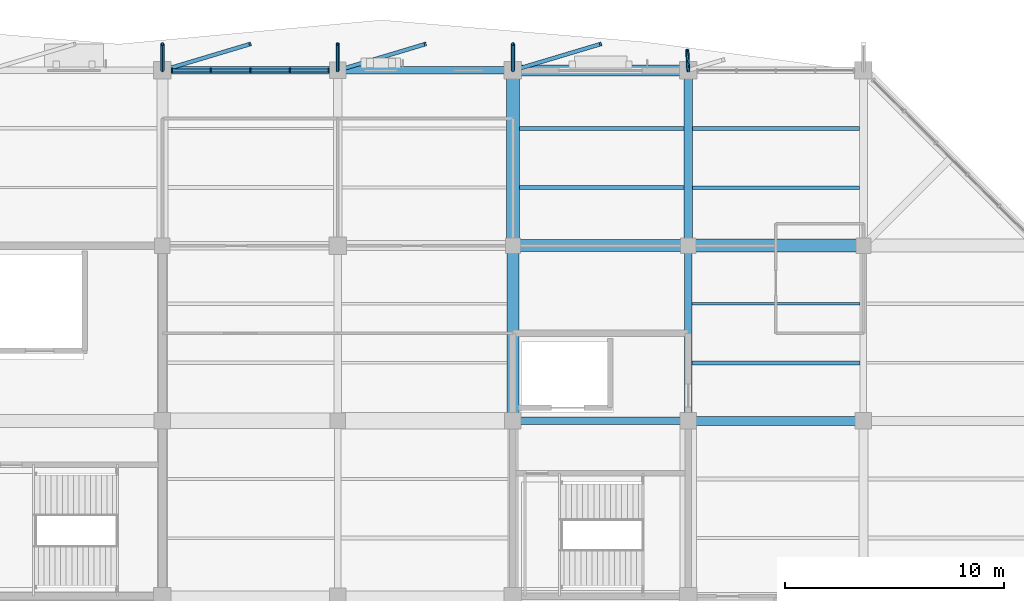
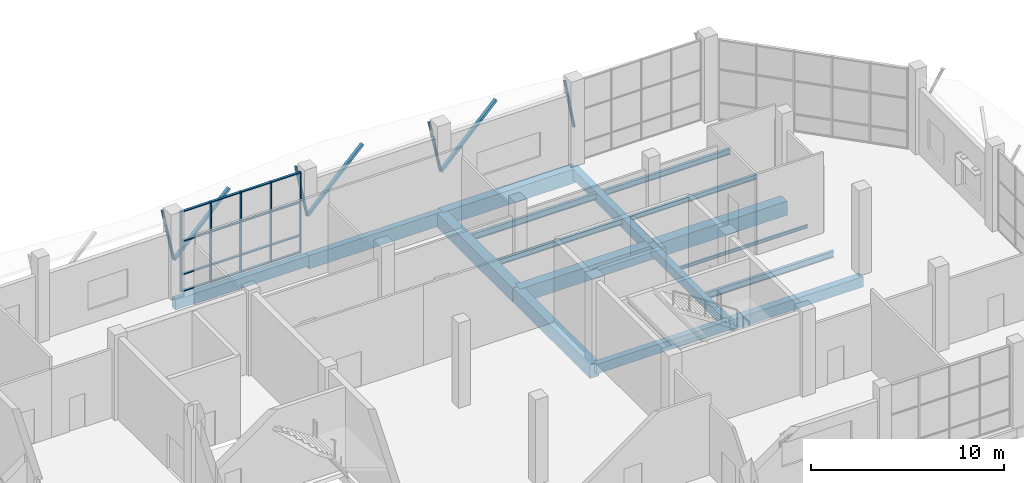
# One storey, part 38 of 122: 28 members, 17 beams, 1 element without a shape of its own.
"""IFC4 building model written with IfcOpenShell, lengths in metres."""

from ifc_helpers import new_model, si_unit, direction, frame, origin, origin_2d, place, context, subcontext, project, spatial, rectangle, hollow_rectangle, hollow_circle, i_section, extrude, material, material_profile, profile_set, type_object, element, aggregate, save


model = new_model("IFC4")

# Units and contexts
model_context = context("Model", 3, precision=1e-05, world=origin(), true_north=direction((0.0, 1.0)))
body_context = subcontext(model_context, "Body", "Model", "MODEL_VIEW")
ifc_project = project(units=[si_unit("LENGTHUNIT", "METRE"), si_unit("AREAUNIT", "SQUARE_METRE"), si_unit("VOLUMEUNIT", "CUBIC_METRE"), si_unit("PLANEANGLEUNIT", "RADIAN"), si_unit("MASSUNIT", "GRAM", prefix="KILO")], contexts=[model_context])

# Site, building, storey
site_placement = place(None, origin())
site = spatial("IfcSite", under=ifc_project, at=site_placement, CompositionType="ELEMENT")
building_placement = place(site_placement, origin())
building = spatial("IfcBuilding", under=site, at=building_placement, Name="Tenunan Teduh Sports Hall", CompositionType="ELEMENT")
storey_placement = place(building_placement, frame((0.0, 0.0, 5.39990234375)))
storey = spatial("IfcBuildingStorey", under=building, at=storey_placement, Name="L01", CompositionType="ELEMENT", Elevation=5.39990234375)

# Beams
ifc_material_1 = material(Name="Concrete C40/50", Category="concrete")
ifc_material_profile_1 = material_profile(ifc_material_1, rectangle(XDim=0.35009765625, YDim=0.60009765625, at=origin_2d()), Name="RCB 350x600")
ifc_profile_set_1 = profile_set([ifc_material_profile_1], Name="Concrete C40/50")
beam_type_1 = type_object("IfcBeamType", Name="BM-RC-350x600", PredefinedType="BEAM", material=ifc_profile_set_1)
for number, where, z_axis, x_axis, name in (
    (1, (54.0, 102.0, -0.559814453125), (1.0, 0.0, 0.0), (0.0, 1.0, 0.0), "BM-B-04-L01-1144"),
    (2, (62.0, 102.0, -0.559814453125), (0.0, 1.0, 0.0), (-1.0, 0.0, 0.0), "BM-B-04-L01-1229"),
):
    element("IfcBeam", number, at=place(storey_placement, frame(where, z_axis=z_axis, x_axis=x_axis)), inside=storey, type_object=beam_type_1, Name=name, PredefinedType="BEAM", context=body_context, shape_type="SweptSolid", body=[
        extrude(rectangle(XDim=0.35009765625, YDim=0.60009765625, at=origin_2d()), origin(), (0.0, 0.0, 1.0), 8.0),
    ])
ifc_material_2 = material(Name="Concrete C40/50", Category="concrete")
ifc_material_profile_2 = material_profile(ifc_material_2, rectangle(XDim=0.35009765625, YDim=0.64990234375, at=origin_2d()), Name="RCB 350x650")
ifc_profile_set_2 = profile_set([ifc_material_profile_2], Name="Concrete C40/50")
beam_type_2 = type_object("IfcBeamType", Name="BM-RC-350x650", PredefinedType="BEAM", material=ifc_profile_set_2)
beam_1_placement = place(storey_placement, frame((38.0, 118.0, -0.5849609375), z_axis=(1.0, 0.0, 0.0), x_axis=(0.0, 1.0, 0.0)))
element("IfcBeam", 3, at=beam_1_placement, inside=storey, type_object=beam_type_2, Name="BM-B-05-L01-1175", PredefinedType="BEAM", context=body_context, shape_type="SweptSolid", body=[
    extrude(rectangle(XDim=0.35009765625, YDim=0.64990234375, at=origin_2d()), origin(), (0.0, 0.0, 1.0), 8.0),
])
ifc_material_3 = material(Name="Concrete C40/50", Category="concrete")
ifc_material_profile_3 = material_profile(ifc_material_3, rectangle(XDim=0.39990234375, YDim=0.64990234375, at=origin_2d()), Name="RCB 400x650")
ifc_profile_set_3 = profile_set([ifc_material_profile_3], Name="Concrete C40/50")
beam_type_3 = type_object("IfcBeamType", Name="BM-RC-400x650", PredefinedType="BEAM", material=ifc_profile_set_3)
for number, where, z_axis, x_axis, name in (
    (4, (62.0, 102.0, -0.5849609375), (1.0, 0.0, 0.0), (0.0, 1.0, 0.0), "BM-B-07-L01-1145"),
    (5, (62.0, 110.0, -0.5849609375), (0.0, 1.0, 0.0), (-1.0, 0.0, 0.0), "BM-B-07-L01-1230"),
):
    element("IfcBeam", number, at=place(storey_placement, frame(where, z_axis=z_axis, x_axis=x_axis)), inside=storey, type_object=beam_type_3, Name=name, PredefinedType="BEAM", context=body_context, shape_type="SweptSolid", body=[
        extrude(rectangle(XDim=0.39990234375, YDim=0.64990234375, at=origin_2d()), origin(), (0.0, 0.0, 1.0), 8.0),
    ])
ifc_material_4 = material(Name="Concrete C40/50", Category="concrete")
ifc_material_profile_4 = material_profile(ifc_material_4, rectangle(XDim=0.5, YDim=0.89990234375, at=origin_2d()), Name="RCB 500x900")
ifc_profile_set_4 = profile_set([ifc_material_profile_4], Name="Concrete C40/50")
beam_type_4 = type_object("IfcBeamType", Name="BM-RC-500x900", PredefinedType="BEAM", material=ifc_profile_set_4)
beam_2_placement = place(storey_placement, frame((54.0, 118.0, -0.7099609375), z_axis=(1.0, 0.0, 0.0), x_axis=(0.0, 1.0, 0.0)))
element("IfcBeam", 6, at=beam_2_placement, inside=storey, type_object=beam_type_4, Name="BM-B-15-L01-1177", PredefinedType="BEAM", context=body_context, shape_type="SweptSolid", body=[
    extrude(rectangle(XDim=0.5, YDim=0.89990234375, at=origin_2d()), origin(), (0.0, 0.0, 1.0), 8.0),
])
ifc_material_5 = material(Name="Concrete C40/50", Category="concrete")
ifc_material_profile_5 = material_profile(ifc_material_5, rectangle(XDim=0.550048828125, YDim=0.89990234375, at=origin_2d()), Name="RCB 550x900")
ifc_profile_set_5 = profile_set([ifc_material_profile_5], Name="Concrete C40/50")
beam_type_5 = type_object("IfcBeamType", Name="BM-RC-550x900", PredefinedType="BEAM", material=ifc_profile_set_5)
for number, where, z_axis, x_axis, name in (
    (7, (54.0, 110.0, -0.7099609375), (1.0, 0.0, 0.0), (0.0, 1.0, 0.0), "BM-B-16-L01-1161"),
    (8, (54.0, 102.0, -0.7099609375), (0.0, 1.0, 0.0), (-1.0, 0.0, 0.0), "BM-B-16-L01-1224"),
):
    element("IfcBeam", number, at=place(storey_placement, frame(where, z_axis=z_axis, x_axis=x_axis)), inside=storey, type_object=beam_type_5, Name=name, PredefinedType="BEAM", context=body_context, shape_type="SweptSolid", body=[
        extrude(rectangle(XDim=0.550048828125, YDim=0.89990234375, at=origin_2d()), origin(), (0.0, 0.0, 1.0), 8.0),
    ])
ifc_material_6 = material(Name="Concrete C40/50", Category="concrete")
ifc_material_profile_6 = material_profile(ifc_material_6, rectangle(XDim=0.60009765625, YDim=0.89990234375, at=origin_2d()), Name="RCB 600x900")
ifc_profile_set_6 = profile_set([ifc_material_profile_6], Name="Concrete C40/50")
beam_type_6 = type_object("IfcBeamType", Name="BM-RC-600x900", PredefinedType="BEAM", material=ifc_profile_set_6)
for number, where, z_axis, x_axis, name in (
    (9, (62.0, 110.0, -0.7099609375), (1.0, 0.0, 0.0), (0.0, 1.0, 0.0), "BM-B-17-L01-1162"),
    (10, (54.0, 110.0, -0.7099609375), (0.0, 1.0, 0.0), (-1.0, 0.0, 0.0), "BM-B-17-L01-1225"),
):
    element("IfcBeam", number, at=place(storey_placement, frame(where, z_axis=z_axis, x_axis=x_axis)), inside=storey, type_object=beam_type_6, Name=name, PredefinedType="BEAM", context=body_context, shape_type="SweptSolid", body=[
        extrude(rectangle(XDim=0.60009765625, YDim=0.89990234375, at=origin_2d()), origin(), (0.0, 0.0, 1.0), 8.0),
    ])
ifc_material_7 = material(Name="Concrete C40/50", Category="concrete")
ifc_material_profile_7 = material_profile(ifc_material_7, rectangle(XDim=0.35009765625, YDim=0.85009765625, at=origin_2d()), Name="SPB 350x850")
ifc_profile_set_7 = profile_set([ifc_material_profile_7], Name="Concrete C40/50")
beam_type_7 = type_object("IfcBeamType", Name="BM-SP-350x850", PredefinedType="SPANDREL", material=ifc_profile_set_7)
beam_3_placement = place(storey_placement, frame((46.0, 118.0, -0.684814453125), z_axis=(1.0, 0.0, 0.0), x_axis=(0.0, 1.0, 0.0)))
element("IfcBeam", 11, at=beam_3_placement, inside=storey, type_object=beam_type_7, Name="BM-SP-02-L01-1176", PredefinedType="SPANDREL", context=body_context, shape_type="SweptSolid", body=[
    extrude(rectangle(XDim=0.35009765625, YDim=0.85009765625, at=origin_2d()), origin(), (0.0, 0.0, 1.0), 8.0),
])

# Curtain wall, members
ifc_material_8 = material(Name="Anodised aluminium", Category="aluminium")
curtain_wall_type = type_object("IfcCurtainWallType", Name="CW-UNIT-1", PredefinedType="NOTDEFINED", material=ifc_material_8)
curtain_wall_placement = place(storey_placement, origin())
curtain_wall = element("IfcCurtainWall", 12, at=curtain_wall_placement, inside=storey, type_object=curtain_wall_type, Name="CW-CWM-175-L01-206", PredefinedType="NOTDEFINED")
ifc_material_9 = material(Name="Anodised aluminium", Category="aluminium")
ifc_material_profile_8 = material_profile(ifc_material_9, rectangle(XDim=0.06494140625, YDim=0.175048828125, at=origin_2d()), Name="CWM 65x175")
ifc_profile_set_8 = profile_set([ifc_material_profile_8], Name="Anodised aluminium")
member_type_1 = type_object("IfcMemberType", Name="CWM-175", PredefinedType="MULLION", material=ifc_profile_set_8)
member_1_placement = place(storey_placement, frame((38.4326171875, 118.0, 0.0), z_axis=(0.0, 0.0, 1.0), x_axis=(1.0, 0.0, 0.0)))
member_1 = element("IfcMember", 13, at=member_1_placement, type_object=member_type_1, Name="CW-01 mullion 1", PredefinedType="MULLION", context=body_context, shape_type="SweptSolid", body=[
    extrude(rectangle(XDim=0.06494140625, YDim=0.175048828125, at=origin_2d()), origin(), (0.0, 0.0, 1.0), 5.1201171875),
])
member_2_placement = place(storey_placement, frame((40.206298828125, 118.0, 0.0), z_axis=(0.0, 0.0, 1.0), x_axis=(1.0, 0.0, 0.0)))
member_2 = element("IfcMember", 14, at=member_2_placement, type_object=member_type_1, Name="CW-01 mullion 2", PredefinedType="MULLION", context=body_context, shape_type="SweptSolid", body=[
    extrude(rectangle(XDim=0.06494140625, YDim=0.175048828125, at=origin_2d()), origin(), (0.0, 0.0, 1.0), 5.1201171875),
])
member_3_placement = place(storey_placement, frame((42.012451171875, 118.0, 0.0), z_axis=(0.0, 0.0, 1.0), x_axis=(1.0, 0.0, 0.0)))
member_3 = element("IfcMember", 15, at=member_3_placement, type_object=member_type_1, Name="CW-01 mullion 3", PredefinedType="MULLION", context=body_context, shape_type="SweptSolid", body=[
    extrude(rectangle(XDim=0.06494140625, YDim=0.175048828125, at=origin_2d()), origin(), (0.0, 0.0, 1.0), 5.1201171875),
])
member_4_placement = place(storey_placement, frame((43.81884765625, 118.0, 0.0), z_axis=(0.0, 0.0, 1.0), x_axis=(1.0, 0.0, 0.0)))
member_4 = element("IfcMember", 16, at=member_4_placement, type_object=member_type_1, Name="CW-01 mullion 4", PredefinedType="MULLION", context=body_context, shape_type="SweptSolid", body=[
    extrude(rectangle(XDim=0.06494140625, YDim=0.175048828125, at=origin_2d()), origin(), (0.0, 0.0, 1.0), 5.1201171875),
])
member_5_placement = place(storey_placement, frame((45.592529296875, 118.0, 0.0), z_axis=(0.0, 0.0, 1.0), x_axis=(1.0, 0.0, 0.0)))
member_5 = element("IfcMember", 17, at=member_5_placement, type_object=member_type_1, Name="CW-01 mullion 5", PredefinedType="MULLION", context=body_context, shape_type="SweptSolid", body=[
    extrude(rectangle(XDim=0.06494140625, YDim=0.175048828125, at=origin_2d()), origin(), (0.0, 0.0, 1.0), 5.1201171875),
])
ifc_material_10 = material(Name="Anodised aluminium", Category="aluminium")
ifc_material_profile_9 = material_profile(ifc_material_10, rectangle(XDim=0.06494140625, YDim=0.139892578125, at=origin_2d()), Name="CWT 65x140")
ifc_profile_set_9 = profile_set([ifc_material_profile_9], Name="Anodised aluminium")
member_type_2 = type_object("IfcMemberType", Name="CWT-150", PredefinedType="USERDEFINED", material=ifc_profile_set_9)
member_6_placement = place(storey_placement, frame((38.465087890625, 118.0, 0.03271484375), z_axis=(1.0, 0.0, 0.0), x_axis=(0.0, 0.0, 1.0)))
member_6 = element("IfcMember", 18, at=member_6_placement, type_object=member_type_2, Name="CW-01 transom 1.1", ObjectType="TRANSOM", PredefinedType="USERDEFINED", context=body_context, shape_type="SweptSolid", body=[
    extrude(rectangle(XDim=0.06494140625, YDim=0.139892578125, at=origin_2d()), origin(), (0.0, 0.0, 1.0), 1.708740234375),
])
member_7_placement = place(storey_placement, frame((38.465087890625, 118.0, 1.10009765625), z_axis=(1.0, 0.0, 0.0), x_axis=(0.0, 0.0, 1.0)))
member_7 = element("IfcMember", 19, at=member_7_placement, type_object=member_type_2, Name="CW-01 transom 1.2", ObjectType="TRANSOM", PredefinedType="USERDEFINED", context=body_context, shape_type="SweptSolid", body=[
    extrude(rectangle(XDim=0.06494140625, YDim=0.139892578125, at=origin_2d()), origin(), (0.0, 0.0, 1.0), 1.708740234375),
])
member_8_placement = place(storey_placement, frame((38.465087890625, 118.0, 3.2001953125), z_axis=(1.0, 0.0, 0.0), x_axis=(0.0, 0.0, 1.0)))
member_8 = element("IfcMember", 20, at=member_8_placement, type_object=member_type_2, Name="CW-01 transom 1.3", ObjectType="TRANSOM", PredefinedType="USERDEFINED", context=body_context, shape_type="SweptSolid", body=[
    extrude(rectangle(XDim=0.06494140625, YDim=0.139892578125, at=origin_2d()), origin(), (0.0, 0.0, 1.0), 1.708740234375),
])
member_9_placement = place(storey_placement, frame((38.465087890625, 118.0, 5.087646484375), z_axis=(1.0, 0.0, 0.0), x_axis=(0.0, 0.0, 1.0)))
member_9 = element("IfcMember", 21, at=member_9_placement, type_object=member_type_2, Name="CW-01 transom 1.4", ObjectType="TRANSOM", PredefinedType="USERDEFINED", context=body_context, shape_type="SweptSolid", body=[
    extrude(rectangle(XDim=0.06494140625, YDim=0.139892578125, at=origin_2d()), origin(), (0.0, 0.0, 1.0), 1.708740234375),
])
member_10_placement = place(storey_placement, frame((40.23876953125, 118.0, 0.03271484375), z_axis=(1.0, 0.0, 0.0), x_axis=(0.0, 0.0, 1.0)))
member_10 = element("IfcMember", 22, at=member_10_placement, type_object=member_type_2, Name="CW-01 transom 2.1", ObjectType="TRANSOM", PredefinedType="USERDEFINED", context=body_context, shape_type="SweptSolid", body=[
    extrude(rectangle(XDim=0.06494140625, YDim=0.139892578125, at=origin_2d()), origin(), (0.0, 0.0, 1.0), 1.7412109375),
])
member_11_placement = place(storey_placement, frame((40.23876953125, 118.0, 1.10009765625), z_axis=(1.0, 0.0, 0.0), x_axis=(0.0, 0.0, 1.0)))
member_11 = element("IfcMember", 23, at=member_11_placement, type_object=member_type_2, Name="CW-01 transom 2.2", ObjectType="TRANSOM", PredefinedType="USERDEFINED", context=body_context, shape_type="SweptSolid", body=[
    extrude(rectangle(XDim=0.06494140625, YDim=0.139892578125, at=origin_2d()), origin(), (0.0, 0.0, 1.0), 1.7412109375),
])
member_12_placement = place(storey_placement, frame((40.23876953125, 118.0, 3.2001953125), z_axis=(1.0, 0.0, 0.0), x_axis=(0.0, 0.0, 1.0)))
member_12 = element("IfcMember", 24, at=member_12_placement, type_object=member_type_2, Name="CW-01 transom 2.3", ObjectType="TRANSOM", PredefinedType="USERDEFINED", context=body_context, shape_type="SweptSolid", body=[
    extrude(rectangle(XDim=0.06494140625, YDim=0.139892578125, at=origin_2d()), origin(), (0.0, 0.0, 1.0), 1.7412109375),
])
member_13_placement = place(storey_placement, frame((40.23876953125, 118.0, 5.087646484375), z_axis=(1.0, 0.0, 0.0), x_axis=(0.0, 0.0, 1.0)))
member_13 = element("IfcMember", 25, at=member_13_placement, type_object=member_type_2, Name="CW-01 transom 2.4", ObjectType="TRANSOM", PredefinedType="USERDEFINED", context=body_context, shape_type="SweptSolid", body=[
    extrude(rectangle(XDim=0.06494140625, YDim=0.139892578125, at=origin_2d()), origin(), (0.0, 0.0, 1.0), 1.7412109375),
])
member_14_placement = place(storey_placement, frame((42.044921875, 118.0, 0.03271484375), z_axis=(1.0, 0.0, 0.0), x_axis=(0.0, 0.0, 1.0)))
member_14 = element("IfcMember", 26, at=member_14_placement, type_object=member_type_2, Name="CW-01 transom 3.1", ObjectType="TRANSOM", PredefinedType="USERDEFINED", context=body_context, shape_type="SweptSolid", body=[
    extrude(rectangle(XDim=0.06494140625, YDim=0.139892578125, at=origin_2d()), origin(), (0.0, 0.0, 1.0), 1.7412109375),
])
member_15_placement = place(storey_placement, frame((42.044921875, 118.0, 1.10009765625), z_axis=(1.0, 0.0, 0.0), x_axis=(0.0, 0.0, 1.0)))
member_15 = element("IfcMember", 27, at=member_15_placement, type_object=member_type_2, Name="CW-01 transom 3.2", ObjectType="TRANSOM", PredefinedType="USERDEFINED", context=body_context, shape_type="SweptSolid", body=[
    extrude(rectangle(XDim=0.06494140625, YDim=0.139892578125, at=origin_2d()), origin(), (0.0, 0.0, 1.0), 1.7412109375),
])
member_16_placement = place(storey_placement, frame((42.044921875, 118.0, 3.2001953125), z_axis=(1.0, 0.0, 0.0), x_axis=(0.0, 0.0, 1.0)))
member_16 = element("IfcMember", 28, at=member_16_placement, type_object=member_type_2, Name="CW-01 transom 3.3", ObjectType="TRANSOM", PredefinedType="USERDEFINED", context=body_context, shape_type="SweptSolid", body=[
    extrude(rectangle(XDim=0.06494140625, YDim=0.139892578125, at=origin_2d()), origin(), (0.0, 0.0, 1.0), 1.7412109375),
])
member_17_placement = place(storey_placement, frame((42.044921875, 118.0, 5.087646484375), z_axis=(1.0, 0.0, 0.0), x_axis=(0.0, 0.0, 1.0)))
member_17 = element("IfcMember", 29, at=member_17_placement, type_object=member_type_2, Name="CW-01 transom 3.4", ObjectType="TRANSOM", PredefinedType="USERDEFINED", context=body_context, shape_type="SweptSolid", body=[
    extrude(rectangle(XDim=0.06494140625, YDim=0.139892578125, at=origin_2d()), origin(), (0.0, 0.0, 1.0), 1.7412109375),
])
member_18_placement = place(storey_placement, frame((43.851318359375, 118.0, 0.03271484375), z_axis=(1.0, 0.0, 0.0), x_axis=(0.0, 0.0, 1.0)))
member_18 = element("IfcMember", 30, at=member_18_placement, type_object=member_type_2, Name="CW-01 transom 4.1", ObjectType="TRANSOM", PredefinedType="USERDEFINED", context=body_context, shape_type="SweptSolid", body=[
    extrude(rectangle(XDim=0.06494140625, YDim=0.139892578125, at=origin_2d()), origin(), (0.0, 0.0, 1.0), 1.708740234375),
])
member_19_placement = place(storey_placement, frame((43.851318359375, 118.0, 1.10009765625), z_axis=(1.0, 0.0, 0.0), x_axis=(0.0, 0.0, 1.0)))
member_19 = element("IfcMember", 31, at=member_19_placement, type_object=member_type_2, Name="CW-01 transom 4.2", ObjectType="TRANSOM", PredefinedType="USERDEFINED", context=body_context, shape_type="SweptSolid", body=[
    extrude(rectangle(XDim=0.06494140625, YDim=0.139892578125, at=origin_2d()), origin(), (0.0, 0.0, 1.0), 1.708740234375),
])
member_20_placement = place(storey_placement, frame((43.851318359375, 118.0, 3.2001953125), z_axis=(1.0, 0.0, 0.0), x_axis=(0.0, 0.0, 1.0)))
member_20 = element("IfcMember", 32, at=member_20_placement, type_object=member_type_2, Name="CW-01 transom 4.3", ObjectType="TRANSOM", PredefinedType="USERDEFINED", context=body_context, shape_type="SweptSolid", body=[
    extrude(rectangle(XDim=0.06494140625, YDim=0.139892578125, at=origin_2d()), origin(), (0.0, 0.0, 1.0), 1.708740234375),
])
member_21_placement = place(storey_placement, frame((43.851318359375, 118.0, 5.087646484375), z_axis=(1.0, 0.0, 0.0), x_axis=(0.0, 0.0, 1.0)))
member_21 = element("IfcMember", 33, at=member_21_placement, type_object=member_type_2, Name="CW-01 transom 4.4", ObjectType="TRANSOM", PredefinedType="USERDEFINED", context=body_context, shape_type="SweptSolid", body=[
    extrude(rectangle(XDim=0.06494140625, YDim=0.139892578125, at=origin_2d()), origin(), (0.0, 0.0, 1.0), 1.708740234375),
])
aggregate(curtain_wall, [member_1, member_2, member_3, member_4, member_5, member_6, member_7, member_8, member_9, member_10, member_11, member_12, member_13, member_14, member_15, member_16, member_17, member_18, member_19, member_20, member_21])

# Beams
ifc_material_11 = material(Name="Steel S355", Category="steel")
ifc_material_profile_10 = material_profile(ifc_material_11, i_section(OverallWidth=0.10009765625, OverallDepth=0.199951171875, WebThickness=0.005615234375, FlangeThickness=0.008544921875, FilletRadius=0.011962890625, at=origin_2d()), Name="IPE 200")
ifc_profile_set_10 = profile_set([ifc_material_profile_10], Name="Steel S355")
beam_type_8 = type_object("IfcBeamType", Name="JST-IPE200", PredefinedType="JOIST", material=ifc_profile_set_10)
beam_4_placement = place(storey_placement, frame((62.175048828125, 107.35009765625, -0.35986328125), z_axis=(1.0, 0.0, 0.0), x_axis=(0.0, 1.0, 0.0)))
element("IfcBeam", 34, at=beam_4_placement, inside=storey, type_object=beam_type_8, Name="BM-J-01-L01-1369", PredefinedType="JOIST", context=body_context, shape_type="SweptSolid", body=[
    extrude(i_section(OverallWidth=0.10009765625, OverallDepth=0.199951171875, WebThickness=0.005615234375, FlangeThickness=0.008544921875, FilletRadius=0.011962890625, at=origin_2d()), origin(), (0.0, 0.0, 1.0), 7.675048828125),
])
ifc_material_12 = material(Name="Steel S355", Category="steel")
ifc_material_profile_11 = material_profile(ifc_material_12, i_section(OverallWidth=0.179931640625, OverallDepth=0.39990234375, WebThickness=0.008544921875, FlangeThickness=0.013427734375, FilletRadius=0.02099609375, at=origin_2d()), Name="IPE 400")
ifc_profile_set_11 = profile_set([ifc_material_profile_11], Name="Steel S355")
beam_type_9 = type_object("IfcBeamType", Name="JST-IPE400", PredefinedType="JOIST", material=ifc_profile_set_11)
beam_5_placement = place(storey_placement, frame((62.175048828125, 104.64990234375, -0.4599609375), z_axis=(1.0, 0.0, 0.0), x_axis=(0.0, 1.0, 0.0)))
element("IfcBeam", 35, at=beam_5_placement, inside=storey, type_object=beam_type_9, Name="BM-J-06-L01-1368", PredefinedType="JOIST", context=body_context, shape_type="SweptSolid", body=[
    extrude(i_section(OverallWidth=0.179931640625, OverallDepth=0.39990234375, WebThickness=0.008544921875, FlangeThickness=0.013427734375, FilletRadius=0.02099609375, at=origin_2d()), origin(), (0.0, 0.0, 1.0), 7.675048828125),
])

# Members
ifc_material_13 = material(Name="Steel S355", Category="steel")
ifc_material_profile_12 = material_profile(ifc_material_13, hollow_circle(Radius=0.084228515625, WallThickness=0.008056640625, at=origin_2d()), Name="CHS 168.3x8.0")
ifc_profile_set_12 = profile_set([ifc_material_profile_12], Name="Steel S355")
member_type_3 = type_object("IfcMemberType", Name="MEM-BR-CHS168", PredefinedType="BRACE", material=ifc_profile_set_12)
for number, where, z_axis, x_axis, name in (
    (36, (38.0, 118.0, 2.2001953125), (0.0, 0.444246482761, 0.895904605722), (-1.0, 0.0, 0.0), "MEM-GD-04-L01-1179"),
    (37, (46.0, 118.0, 2.2001953125), (0.0, 0.444246482761, 0.895904605722), (-1.0, 0.0, 0.0), "MEM-GD-04-L01-1181"),
    (38, (54.0, 118.0, 2.2001953125), (0.0, 0.444246482761, 0.895904605722), (-1.0, 0.0, 0.0), "MEM-GD-04-L01-1183"),
):
    element("IfcMember", number, at=place(storey_placement, frame(where, z_axis=z_axis, x_axis=x_axis)), inside=storey, type_object=member_type_3, Name=name, PredefinedType="BRACE", context=body_context, shape_type="SweptSolid", body=[
        extrude(hollow_circle(Radius=0.084228515625, WallThickness=0.008056640625, at=origin_2d()), origin(), (0.0, 0.0, 1.0), 2.701171875),
    ])
member_22_placement = place(storey_placement, frame((62.0, 118.0, 2.2001953125), z_axis=(-0.014921206397, 0.351498292469, 0.936069606381), x_axis=(-0.999100202117, -0.042412098854, 0.0)))
element("IfcMember", 39, at=member_22_placement, inside=storey, type_object=member_type_3, Name="MEM-GD-04-L01-1185", PredefinedType="BRACE", context=body_context, shape_type="SweptSolid", body=[
    extrude(hollow_circle(Radius=0.084228515625, WallThickness=0.008056640625, at=origin_2d()), origin(), (0.0, 0.0, 1.0), 2.585205078125),
])
ifc_material_14 = material(Name="Steel S355", Category="steel")
ifc_material_profile_13 = material_profile(ifc_material_14, hollow_rectangle(XDim=0.179931640625, YDim=0.179931640625, WallThickness=0.010009765625, at=origin_2d()), Name="SHS 180x180x10.0")
ifc_profile_set_13 = profile_set([ifc_material_profile_13], Name="Steel S355")
member_type_4 = type_object("IfcMemberType", Name="MEM-ST-SHS180", PredefinedType="STRUT", material=ifc_profile_set_13)
for number, where, z_axis, x_axis, name in (
    (40, (38.0, 118.0, 2.2001953125), (0.828743625363, 0.24861297111, 0.501373706946), (-0.287337158709, 0.957829503213, 0.0), "MEM-VS-03-L01-1180"),
    (41, (46.0, 118.0, 2.2001953125), (0.828743625363, 0.24861297111, 0.501373706946), (-0.287337158709, 0.957829503213, 0.0), "MEM-VS-03-L01-1182"),
    (42, (54.0, 118.0, 2.2001953125), (0.828743625363, 0.24861297111, 0.501373706946), (-0.287337158709, 0.957829503213, 0.0), "MEM-VS-03-L01-1184"),
):
    element("IfcMember", number, at=place(storey_placement, frame(where, z_axis=z_axis, x_axis=x_axis)), inside=storey, type_object=member_type_4, Name=name, PredefinedType="STRUT", context=body_context, shape_type="SweptSolid", body=[
        extrude(hollow_rectangle(XDim=0.179931640625, YDim=0.179931640625, WallThickness=0.010009765625, at=origin_2d()), origin(), (0.0, 0.0, 1.0), 4.82666015625),
    ])

# Beams
ifc_material_15 = material(Name="Steel S355", Category="steel")
ifc_material_profile_14 = material_profile(ifc_material_15, i_section(OverallWidth=0.1650390625, OverallDepth=0.303466796875, WebThickness=0.006103515625, FlangeThickness=0.01025390625, FilletRadius=0.0087890625, at=origin_2d()), Name="UKB 305x165x40")
ifc_profile_set_14 = profile_set([ifc_material_profile_14], Name="Steel S355")
beam_type_10 = type_object("IfcBeamType", Name="SBM-UKB305", PredefinedType="BEAM", material=ifc_profile_set_14)
beam_6_placement = place(storey_placement, frame((62.199951171875, 112.64990234375, -0.41162109375), z_axis=(1.0, 0.0, 0.0), x_axis=(0.0, 1.0, 0.0)))
element("IfcBeam", 43, at=beam_6_placement, inside=storey, type_object=beam_type_10, Name="BM-SB-01-L01-1370", PredefinedType="BEAM", context=body_context, shape_type="SweptSolid", body=[
    extrude(i_section(OverallWidth=0.1650390625, OverallDepth=0.303466796875, WebThickness=0.006103515625, FlangeThickness=0.01025390625, FilletRadius=0.0087890625, at=origin_2d()), origin(), (0.0, 0.0, 1.0), 7.625),
])
ifc_material_16 = material(Name="Steel S355", Category="steel")
ifc_material_profile_15 = material_profile(ifc_material_16, i_section(OverallWidth=0.17138671875, OverallDepth=0.35498046875, WebThickness=0.00732421875, FlangeThickness=0.011474609375, FilletRadius=0.01025390625, at=origin_2d()), Name="UKB 356x171x51")
ifc_profile_set_15 = profile_set([ifc_material_profile_15], Name="Steel S355")
beam_type_11 = type_object("IfcBeamType", Name="SBM-UKB356", PredefinedType="BEAM", material=ifc_profile_set_15)
beam_7_placement = place(storey_placement, frame((54.300048828125, 112.64990234375, -0.4375), z_axis=(1.0, 0.0, 0.0), x_axis=(0.0, 1.0, 0.0)))
element("IfcBeam", 44, at=beam_7_placement, inside=storey, type_object=beam_type_11, Name="BM-SB-02-L01-1360", PredefinedType="BEAM", context=body_context, shape_type="SweptSolid", body=[
    extrude(i_section(OverallWidth=0.17138671875, OverallDepth=0.35498046875, WebThickness=0.00732421875, FlangeThickness=0.011474609375, FilletRadius=0.01025390625, at=origin_2d()), origin(), (0.0, 0.0, 1.0), 7.5),
])
beam_8_placement = place(storey_placement, frame((62.199951171875, 115.35009765625, -0.4375), z_axis=(1.0, 0.0, 0.0), x_axis=(0.0, 1.0, 0.0)))
element("IfcBeam", 45, at=beam_8_placement, inside=storey, type_object=beam_type_11, Name="BM-SB-02-L01-1371", PredefinedType="BEAM", context=body_context, shape_type="SweptSolid", body=[
    extrude(i_section(OverallWidth=0.17138671875, OverallDepth=0.35498046875, WebThickness=0.00732421875, FlangeThickness=0.011474609375, FilletRadius=0.01025390625, at=origin_2d()), origin(), (0.0, 0.0, 1.0), 7.625),
])
ifc_material_17 = material(Name="Steel S355", Category="steel")
ifc_material_profile_16 = material_profile(ifc_material_17, i_section(OverallWidth=0.177978515625, OverallDepth=0.406494140625, WebThickness=0.0078125, FlangeThickness=0.0126953125, FilletRadius=0.01025390625, at=origin_2d()), Name="UKB 406x178x60")
ifc_profile_set_16 = profile_set([ifc_material_profile_16], Name="Steel S355")
beam_type_12 = type_object("IfcBeamType", Name="SBM-UKB406", PredefinedType="BEAM", material=ifc_profile_set_16)
beam_9_placement = place(storey_placement, frame((54.300048828125, 115.35009765625, -0.463134765625), z_axis=(1.0, 0.0, 0.0), x_axis=(0.0, 1.0, 0.0)))
element("IfcBeam", 46, at=beam_9_placement, inside=storey, type_object=beam_type_12, Name="BM-SB-03-L01-1361", PredefinedType="BEAM", context=body_context, shape_type="SweptSolid", body=[
    extrude(i_section(OverallWidth=0.177978515625, OverallDepth=0.406494140625, WebThickness=0.0078125, FlangeThickness=0.0126953125, FilletRadius=0.01025390625, at=origin_2d()), origin(), (0.0, 0.0, 1.0), 7.5),
])

save(model, "model.ifc")
